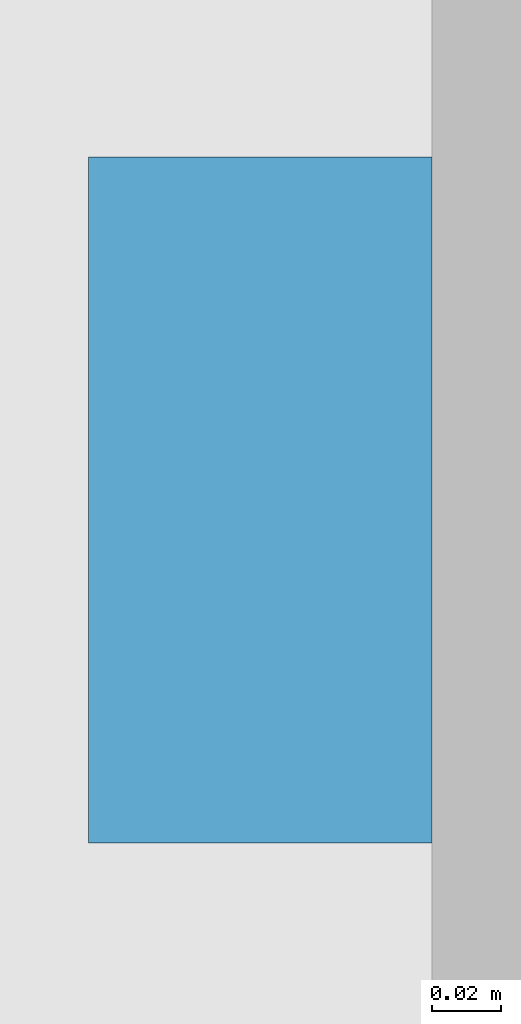
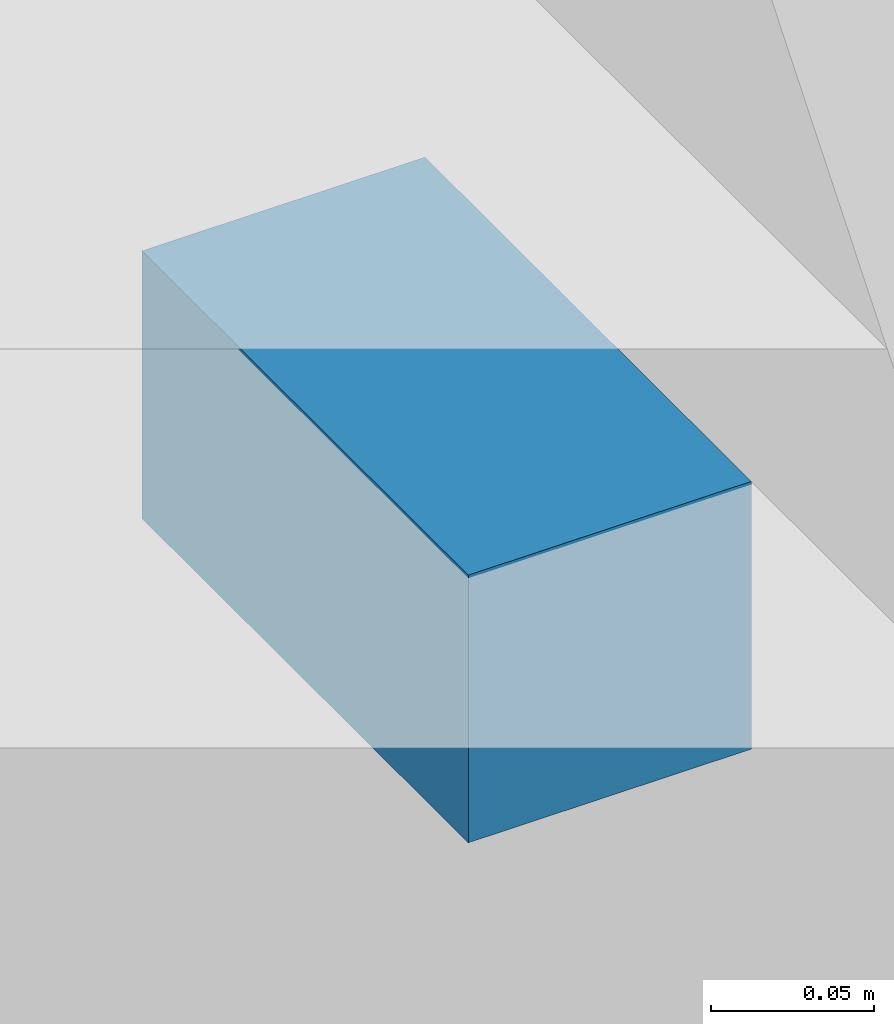
# One storey, part 15 of 17: 1 discrete accessory.
"""IFC4 building model written with IfcOpenShell, lengths in metres."""

from ifc_helpers import new_model, si_unit, direction, frame, origin, origin_2d, place, context, subcontext, project, spatial, rectangle, extrude, element, save


model = new_model("IFC4")

# Units and contexts
model_context = context("Model", 3, precision=1e-05, world=origin(), true_north=direction((0.0, 1.0)))
body_context = subcontext(model_context, "Body", "Model", "MODEL_VIEW")
ifc_project = project(units=[si_unit("LENGTHUNIT", "METRE"), si_unit("AREAUNIT", "SQUARE_METRE"), si_unit("VOLUMEUNIT", "CUBIC_METRE"), si_unit("PLANEANGLEUNIT", "RADIAN"), si_unit("MASSUNIT", "GRAM", prefix="KILO")], contexts=[model_context])

# Site, building, storey
site_placement = place(None, origin())
site = spatial("IfcSite", under=ifc_project, at=site_placement, CompositionType="ELEMENT")
building_placement = place(site_placement, origin())
building = spatial("IfcBuilding", under=site, at=building_placement, Name="Calvaro Tower", CompositionType="ELEMENT")
storey_placement = place(building_placement, frame((0.0, 0.0, 170.5)))
storey = spatial("IfcBuildingStorey", under=building, at=storey_placement, Name="L42", CompositionType="ELEMENT", Elevation=170.5)

# Discrete accessory
discrete_accessory_placement = place(storey_placement, frame((65.5, 3.60009765625, 2.349853515625), z_axis=(0.0, 0.0, 1.0), x_axis=(1.0, 0.0, 0.0)))
element("IfcDiscreteAccessory", 1, at=discrete_accessory_placement, inside=storey, Name="Brise-soleil bracket", PredefinedType="BRACKET", context=body_context, shape_type="SweptSolid", body=[
    extrude(rectangle(XDim=0.10009765625, YDim=0.199951171875, at=origin_2d()), origin(), (0.0, 0.0, 1.0), 0.10009765625),
])

save(model, "model.ifc")
